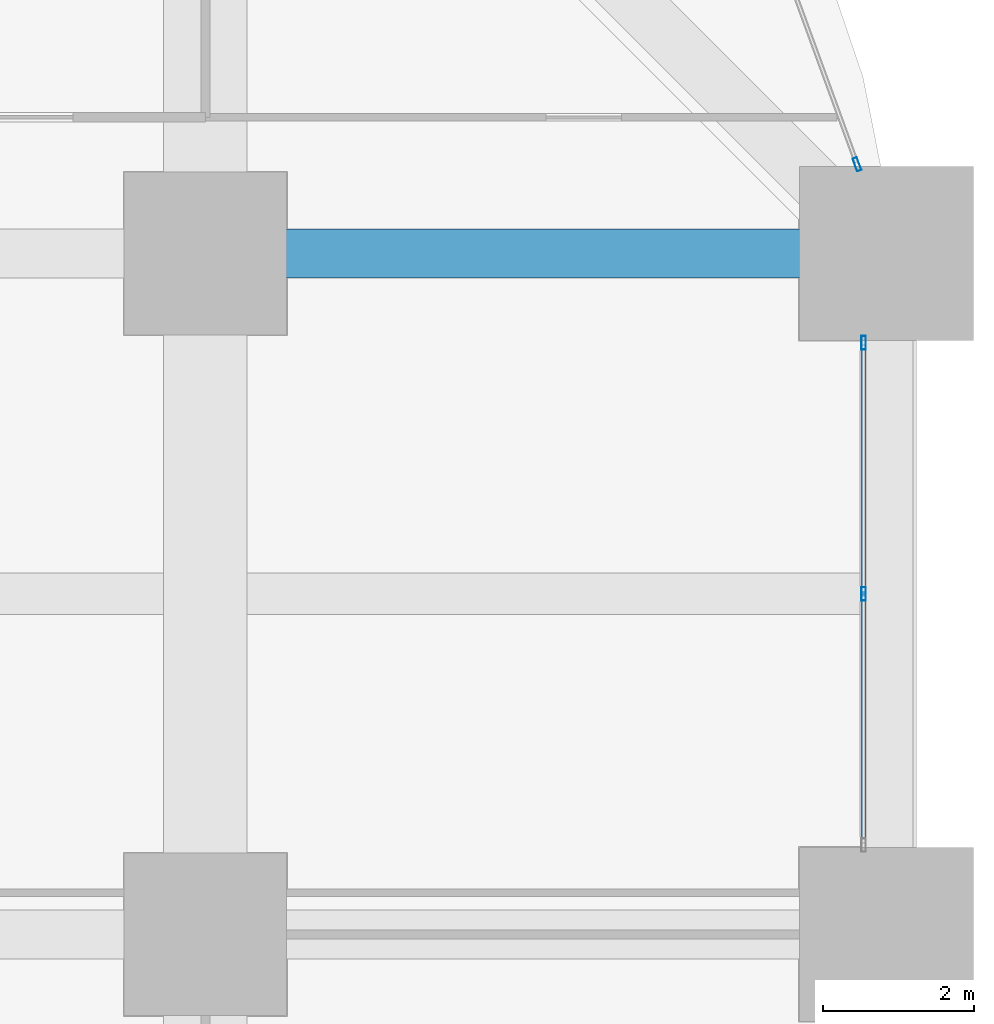
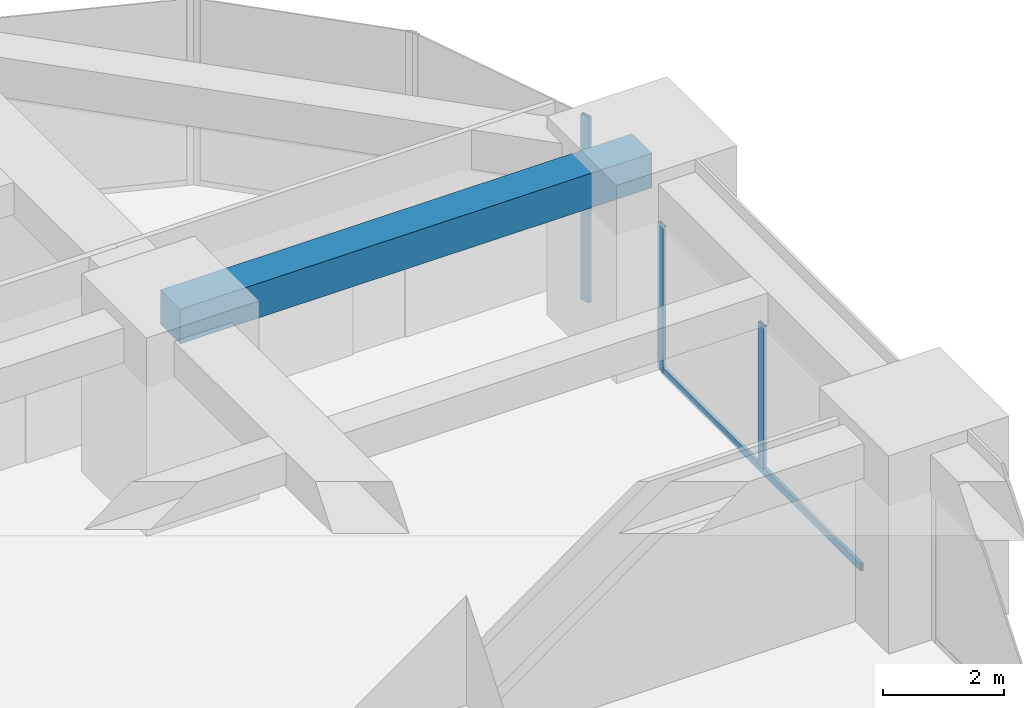
# One storey, part 34 of 44: 4 members, 1 beam, 2 elements without a shape of their own.
"""IFC4 building model written with IfcOpenShell, lengths in metres."""

from ifc_helpers import new_model, si_unit, direction, frame, origin, origin_2d, place, context, subcontext, project, spatial, rectangle, hollow_rectangle, extrude, material, material_profile, profile_set, type_object, element, aggregate, save


model = new_model("IFC4")

# Units and contexts
model_context = context("Model", 3, precision=1e-05, world=origin(), true_north=direction((0.0, 1.0)))
body_context = subcontext(model_context, "Body", "Model", "MODEL_VIEW")
ifc_project = project(units=[si_unit("LENGTHUNIT", "METRE"), si_unit("AREAUNIT", "SQUARE_METRE"), si_unit("VOLUMEUNIT", "CUBIC_METRE"), si_unit("PLANEANGLEUNIT", "RADIAN"), si_unit("MASSUNIT", "GRAM", prefix="KILO")], contexts=[model_context])

# Site, building, storey
site_placement = place(None, origin())
site = spatial("IfcSite", under=ifc_project, at=site_placement, CompositionType="ELEMENT")
building_placement = place(site_placement, origin())
building = spatial("IfcBuilding", under=site, at=building_placement, Name="Zorevar Civic Tower", CompositionType="ELEMENT")
storey_placement = place(building_placement, frame((0.0, 0.0, 59.800048828125)))
storey = spatial("IfcBuildingStorey", under=building, at=storey_placement, Name="L14", CompositionType="ELEMENT", Elevation=59.800048828125)

# Beam
ifc_material_1 = material(Name="Concrete C50/60", Category="concrete")
ifc_material_profile_1 = material_profile(ifc_material_1, rectangle(XDim=0.64990234375, YDim=0.699951171875, at=origin_2d()), Name="RC 650x700")
ifc_profile_set_1 = profile_set([ifc_material_profile_1], Name="Concrete C50/60")
beam_type = type_object("IfcBeamType", Name="Beam RC 650x700", PredefinedType="BEAM", material=ifc_profile_set_1)
beam_placement = place(storey_placement, frame((54.0, 45.0, 3.39990234375), z_axis=(1.0, 0.0, 0.0), x_axis=(0.0, 1.0, 0.0)))
element("IfcBeam", 1, at=beam_placement, inside=storey, type_object=beam_type, Name="Girder L15", PredefinedType="BEAM", context=body_context, shape_type="SweptSolid", body=[
    extrude(rectangle(XDim=0.64990234375, YDim=0.699951171875, at=origin_2d()), origin(), (0.0, 0.0, 1.0), 9.0),
])

# Curtain wall, members
ifc_material_2 = material(Name="Dark grey solar-control glass in black aluminium frame", Category="aluminium")
curtain_wall_type = type_object("IfcCurtainWallType", Name="Curtain wall CW2 low zone", PredefinedType="NOTDEFINED", material=ifc_material_2)
curtain_wall_1_placement = place(storey_placement, origin())
curtain_wall_1 = element("IfcCurtainWall", 2, at=curtain_wall_1_placement, inside=storey, type_object=curtain_wall_type, Name="CW2 L14", PredefinedType="NOTDEFINED")
ifc_material_3 = material(Name="Aluminium, black anodised", Category="aluminium")
ifc_material_profile_2 = material_profile(ifc_material_3, hollow_rectangle(XDim=0.06005859375, YDim=0.179931640625, WallThickness=0.00390625, at=origin_2d()), Name="AL 180x60x4")
ifc_profile_set_2 = profile_set([ifc_material_profile_2], Name="Aluminium, black anodised")
member_type_1 = type_object("IfcMemberType", Name="CW2 mullion AL 180x60x4", PredefinedType="MULLION", material=ifc_profile_set_2)
member_1_placement = place(storey_placement, frame((62.699951171875, 40.5, 0.06005859375), z_axis=(0.0, 0.0, 1.0), x_axis=(-1.0, 0.0, 0.0)))
member_1 = element("IfcMember", 3, at=member_1_placement, type_object=member_type_1, Name="CW2 mullion 2", PredefinedType="MULLION", context=body_context, shape_type="SweptSolid", body=[
    extrude(hollow_rectangle(XDim=0.06005859375, YDim=0.179931640625, WallThickness=0.00390625, at=origin_2d()), origin(), (0.0, 0.0, 1.0), 2.889892578125),
])
member_2_placement = place(storey_placement, frame((62.699951171875, 43.820068359375, 0.0), z_axis=(0.0, 0.0, 1.0), x_axis=(-1.0, 0.0, 0.0)))
member_2 = element("IfcMember", 4, at=member_2_placement, type_object=member_type_1, Name="CW2 mullion 3", PredefinedType="MULLION", context=body_context, shape_type="SweptSolid", body=[
    extrude(hollow_rectangle(XDim=0.06005859375, YDim=0.179931640625, WallThickness=0.00390625, at=origin_2d()), origin(), (0.0, 0.0, 1.0), 2.949951171875),
])

# Curtain wall, member
curtain_wall_2_placement = place(storey_placement, origin())
curtain_wall_2 = element("IfcCurtainWall", 5, at=curtain_wall_2_placement, inside=storey, type_object=curtain_wall_type, Name="CW2 L14", PredefinedType="NOTDEFINED")
member_3_placement = place(storey_placement, frame((62.61328125, 46.17822265625, 0.0), z_axis=(0.0, 0.0, 1.0), x_axis=(-0.939313345732, -0.343060400701, 0.0)))
member_3 = element("IfcMember", 6, at=member_3_placement, type_object=member_type_1, Name="CW2 mullion 1", PredefinedType="MULLION", context=body_context, shape_type="SweptSolid", body=[
    extrude(hollow_rectangle(XDim=0.06005859375, YDim=0.179931640625, WallThickness=0.00390625, at=origin_2d()), origin(), (0.0, 0.0, 1.0), 3.75),
])
aggregate(curtain_wall_2, [member_3])

# Member
ifc_material_4 = material(Name="Aluminium, black anodised", Category="aluminium")
ifc_material_profile_3 = material_profile(ifc_material_4, hollow_rectangle(XDim=0.06005859375, YDim=0.14990234375, WallThickness=0.00390625, at=origin_2d()), Name="AL 150x60x4")
ifc_profile_set_3 = profile_set([ifc_material_profile_3], Name="Aluminium, black anodised")
member_type_2 = type_object("IfcMemberType", Name="CW2 transom AL 150x60x4", PredefinedType="USERDEFINED", material=ifc_profile_set_3)
member_4_placement = place(storey_placement, frame((62.699951171875, 37.2099609375, 0.030029296875), z_axis=(0.0, 1.0, 0.0), x_axis=(-1.0, 0.0, 0.0)))
member_4 = element("IfcMember", 7, at=member_4_placement, type_object=member_type_2, Name="CW2 sill transom", ObjectType="TRANSOM", PredefinedType="USERDEFINED", context=body_context, shape_type="SweptSolid", body=[
    extrude(hollow_rectangle(XDim=0.06005859375, YDim=0.14990234375, WallThickness=0.00390625, at=origin_2d()), origin(), (0.0, 0.0, 1.0), 6.580078125),
])

aggregate(curtain_wall_1, [member_1, member_2, member_4])

save(model, "model.ifc")
